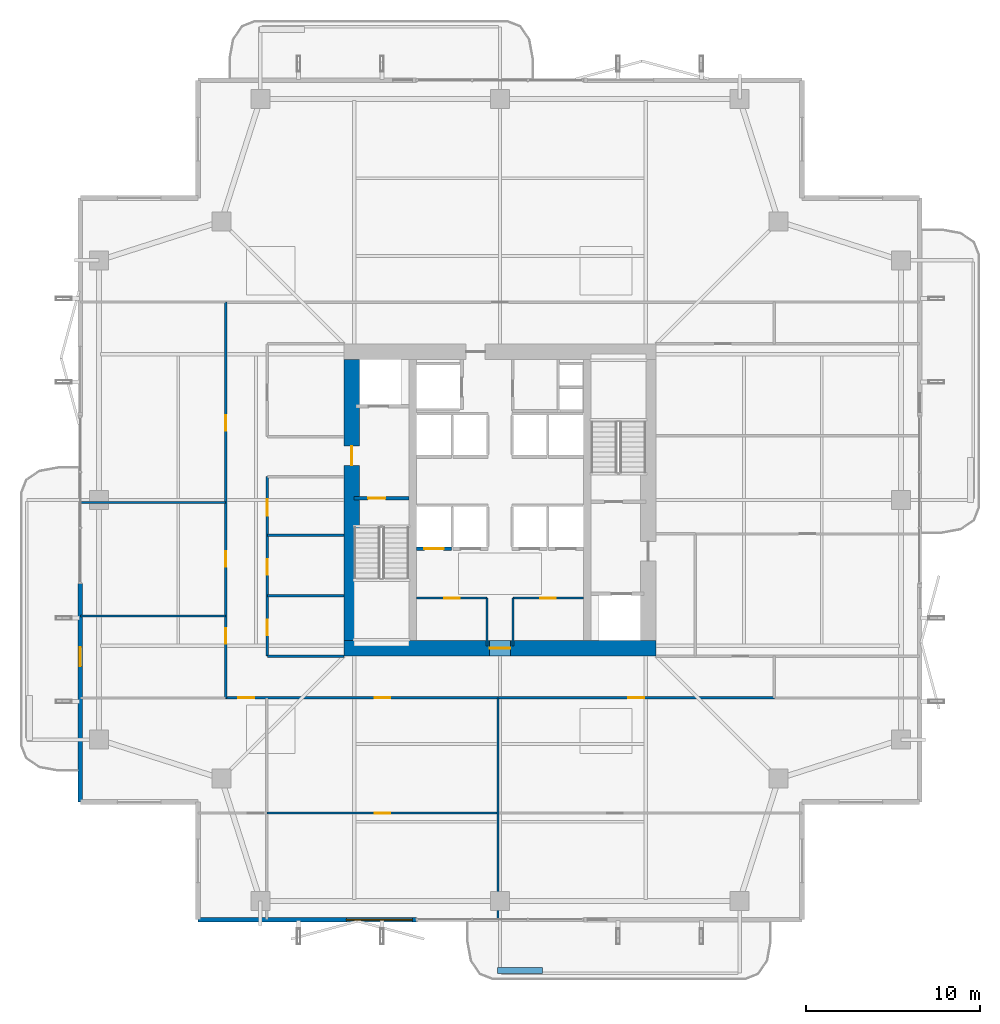
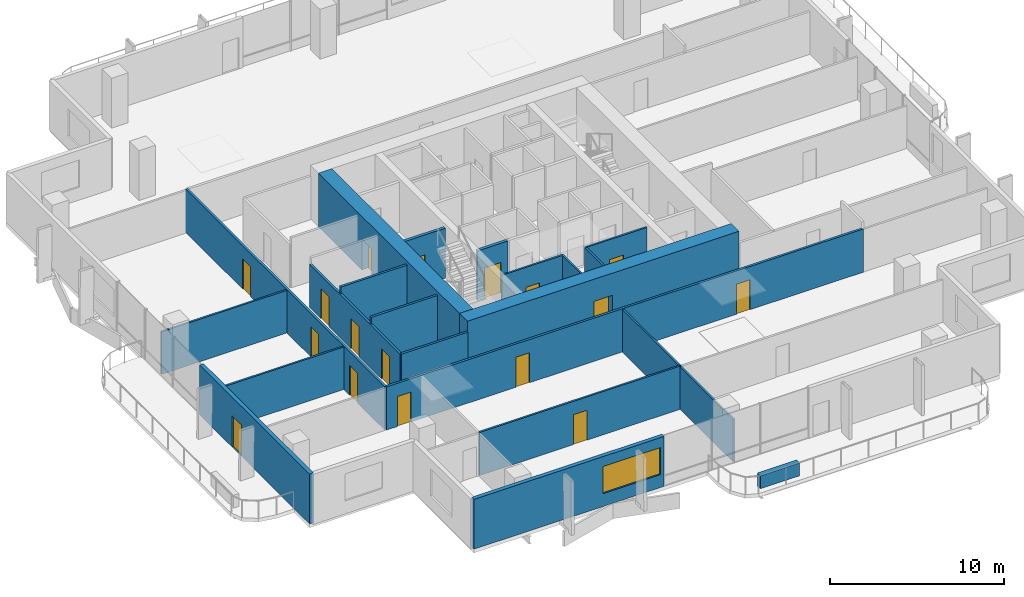
# One storey, part 18 of 24: 21 walls, 17 doors, 1 window, 18 openings.
"""IFC4 building model written with IfcOpenShell, lengths in metres."""

from ifc_helpers import new_model, si_unit, direction, frame, frame_2d, origin, place, context, subcontext, project, spatial, rectangle, extrude, material, layer, layer_set, type_object, element, fill, save


model = new_model("IFC4")

# Units and contexts
model_context = context("Model", 3, precision=1e-05, world=origin(), true_north=direction((0.0, 1.0)))
body_context = subcontext(model_context, "Body", "Model", "MODEL_VIEW")
ifc_project = project(units=[si_unit("LENGTHUNIT", "METRE"), si_unit("AREAUNIT", "SQUARE_METRE"), si_unit("VOLUMEUNIT", "CUBIC_METRE"), si_unit("PLANEANGLEUNIT", "RADIAN"), si_unit("MASSUNIT", "GRAM", prefix="KILO")], contexts=[model_context])

# Site, building, storey
site_placement = place(None, origin())
site = spatial("IfcSite", under=ifc_project, at=site_placement, CompositionType="ELEMENT")
building_placement = place(site_placement, origin())
building = spatial("IfcBuilding", under=site, at=building_placement, Name="Belovzor Exchange Tower", CompositionType="ELEMENT")
storey_placement = place(building_placement, frame((0.0, 0.0, 179.550048828125)))
storey = spatial("IfcBuildingStorey", under=building, at=storey_placement, Name="L44", CompositionType="ELEMENT", Elevation=179.550048828125)

# Wall, opening, door
ifc_material_1 = material(Name="Acoustic Plasterboard on Galvanised Studs", Category="gypsum")
ifc_layer_1 = layer(ifc_material_1, 0.1201171875)
ifc_layer_set_1 = layer_set([ifc_layer_1], Name="Acoustic Plasterboard on Galvanised Studs")
wall_type_1 = type_object("IfcWallType", Name="Acoustic Double-Stud Partition Wall 120", PredefinedType="PARTITIONING", material=ifc_layer_set_1)
wall_1_placement = place(storey_placement, frame((15.364990234375, 10.76611328125, 0.0), z_axis=(0.0, 0.0, 1.0), x_axis=(1.0, 0.0, 0.0)))
wall_1 = element("IfcWall", 1, at=wall_1_placement, inside=storey, type_object=wall_type_1, Name="W-P120 Partition Wall W-L44-SHDIV-1", PredefinedType="PARTITIONING", context=body_context, shape_type="SweptSolid", body=[
    extrude(rectangle(XDim=13.3310546875, YDim=0.1201171875, at=frame_2d((6.66552734375, 0.0))), origin(), (0.0, 0.0, 1.0), 3.030029296875),
])
opening_1_placement = place(wall_1_placement, frame((6.216064453125, 0.0, 0.0)))
opening_1 = element("IfcOpeningElement", 2, at=opening_1_placement, cuts=wall_1, Name="Opening D-INT-090", PredefinedType="OPENING", context=body_context, shape_type="SweptSolid", body=[
    extrude(rectangle(XDim=0.89990234375, YDim=2.10009765625, at=frame_2d((0.449951171875, 1.050048828125))), frame((0.0, 0.070068359375, 0.0), z_axis=(0.0, -1.0, 0.0), x_axis=(1.0, 0.0, 0.0)), (0.0, 0.0, 1.0), 0.14013671875),
])
ifc_material_2 = material(Name="Veneered Hardwood Acoustic Leaf", Category="wood")
door_type_1 = type_object("IfcDoorType", Name="Trading Suite Acoustic Single Door 900x2100", OperationType="NOTDEFINED", PredefinedType="DOOR", material=ifc_material_2)
door_1_placement = place(opening_1_placement, origin())
door_1 = element("IfcDoor", 3, at=door_1_placement, inside=storey, type_object=door_type_1, Name="D-INT-090 Trading Suite Acoustic Single Door 900x2100", OperationType="SINGLE_SWING_LEFT", OverallHeight=2.10009765625, OverallWidth=0.89990234375, PredefinedType="DOOR", context=body_context, shape_type="SweptSolid", body=[
    extrude(rectangle(XDim=0.89990234375, YDim=2.10009765625, at=frame_2d((0.449951171875, 1.050048828125))), frame((0.0, 0.02490234375, 0.0), z_axis=(0.0, -1.0, 0.0), x_axis=(1.0, 0.0, 0.0)), (0.0, 0.0, 1.0), 0.050048828125),
])
fill(opening_1, door_1)

# Walls
wall_2_placement = place(storey_placement, frame((28.696044921875, 4.6298828125, 0.0), z_axis=(0.0, 0.0, 1.0), x_axis=(0.0, 1.0, 0.0)))
element("IfcWall", 4, at=wall_2_placement, inside=storey, type_object=wall_type_1, Name="W-P120 Partition Wall W-L44-SDIV-2", PredefinedType="PARTITIONING", context=body_context, shape_type="SweptSolid", body=[
    extrude(rectangle(XDim=12.77001953125, YDim=0.1201171875, at=frame_2d((6.385009765625, 0.0))), origin(), (0.0, 0.0, 1.0), 2.97998046875),
])
for number, where, z_axis, x_axis, name in (
    (5, (4.6298828125, 22.1259765625, 0.0), (0.0, 0.0, 1.0), (1.0, 0.0, 0.0), "W-P120 Partition Wall W-L44-WDIV-1"),
    (6, (4.6298828125, 28.656982421875, 0.0), (0.0, 0.0, 1.0), (1.0, 0.0, 0.0), "W-P120 Partition Wall W-L44-WDIV-2"),
):
    element("IfcWall", number, at=place(storey_placement, frame(where, z_axis=z_axis, x_axis=x_axis)), inside=storey, type_object=wall_type_1, Name=name, PredefinedType="PARTITIONING", context=body_context, shape_type="SweptSolid", body=[
        extrude(rectangle(XDim=8.3701171875, YDim=0.1201171875, at=frame_2d((4.18505859375, 0.0))), origin(), (0.0, 0.0, 1.0), 2.97998046875),
    ])

# Wall, opening, door
ifc_material_3 = material(Name="Fire-Rated Plasterboard on Galvanised Studs", Category="gypsum")
ifc_layer_2 = layer(ifc_material_3, 0.1201171875)
ifc_layer_set_2 = layer_set([ifc_layer_2], Name="Fire-Rated Plasterboard on Galvanised Studs")
wall_type_2 = type_object("IfcWallType", Name="Fire-Rated Double-Stud Partition Wall 120", PredefinedType="PARTITIONING", material=ifc_layer_set_2)
wall_3_placement = place(storey_placement, frame((24.0, 23.14990234375, 0.0), z_axis=(0.0, 0.0, 1.0), x_axis=(1.0, 0.0, 0.0)))
wall_3 = element("IfcWall", 7, at=wall_3_placement, inside=storey, type_object=wall_type_2, Name="W-P120F Partition Wall W-CRL-L44-WN", PredefinedType="PARTITIONING", context=body_context, shape_type="SweptSolid", body=[
    extrude(rectangle(XDim=4.050048828125, YDim=0.1201171875, at=frame_2d((2.02490234375, 0.0))), origin(), (0.0, 0.0, 1.0), 3.494873046875),
])
opening_2_placement = place(wall_3_placement, frame((1.574951171875, 0.0, 0.0)))
opening_2 = element("IfcOpeningElement", 8, at=opening_2_placement, cuts=wall_3, Name="Opening D-FD60-090", PredefinedType="OPENING", context=body_context, shape_type="SweptSolid", body=[
    extrude(rectangle(XDim=0.89990234375, YDim=2.10009765625, at=frame_2d((0.449951171875, 1.050048828125))), frame((0.0, 0.070068359375, 0.0), z_axis=(0.0, -1.0, 0.0), x_axis=(1.0, 0.0, 0.0)), (0.0, 0.0, 1.0), 0.14013671875),
])
ifc_material_4 = material(Name="Acoustic Timber Fire Leaf", Category="wood")
door_type_2 = type_object("IfcDoorType", Name="Core Service & Restroom Fire Door 900x2100", OperationType="NOTDEFINED", PredefinedType="DOOR", material=ifc_material_4)
door_2_placement = place(opening_2_placement, origin())
door_2 = element("IfcDoor", 9, at=door_2_placement, inside=storey, type_object=door_type_2, Name="D-FD60-090 Core Service & Restroom Fire Door 900x2100", OperationType="SINGLE_SWING_LEFT", OverallHeight=2.10009765625, OverallWidth=0.89990234375, PredefinedType="DOOR", context=body_context, shape_type="SweptSolid", body=[
    extrude(rectangle(XDim=0.89990234375, YDim=2.10009765625, at=frame_2d((0.449951171875, 1.050048828125))), frame((0.0, 0.02490234375, 0.0), z_axis=(0.0, -1.0, 0.0), x_axis=(1.0, 0.0, 0.0)), (0.0, 0.0, 1.0), 0.050048828125),
])
fill(opening_2, door_2)

# Wall
wall_4_placement = place(storey_placement, frame((28.050048828125, 20.39990234375, 0.0), z_axis=(0.0, 0.0, 1.0), x_axis=(0.0, 1.0, 0.0)))
element("IfcWall", 10, at=wall_4_placement, inside=storey, type_object=wall_type_2, Name="W-P120F Partition Wall W-CRL-L44-WE", PredefinedType="PARTITIONING", context=body_context, shape_type="SweptSolid", body=[
    extrude(rectangle(XDim=2.75, YDim=0.1201171875, at=frame_2d((1.375, 0.0))), origin(), (0.0, 0.0, 1.0), 3.494873046875),
])

# Wall, opening, door
wall_5_placement = place(storey_placement, frame((29.550048828125, 23.14990234375, 0.0), z_axis=(0.0, 0.0, 1.0), x_axis=(1.0, 0.0, 0.0)))
wall_5 = element("IfcWall", 11, at=wall_5_placement, inside=storey, type_object=wall_type_2, Name="W-P120F Partition Wall W-CRL-L44-EN", PredefinedType="PARTITIONING", context=body_context, shape_type="SweptSolid", body=[
    extrude(rectangle(XDim=4.050048828125, YDim=0.1201171875, at=frame_2d((2.02490234375, 0.0))), origin(), (0.0, 0.0, 1.0), 3.494873046875),
])
opening_3_placement = place(wall_5_placement, frame((1.574951171875, 0.0, 0.0)))
opening_3 = element("IfcOpeningElement", 12, at=opening_3_placement, cuts=wall_5, Name="Opening D-FD60-090", PredefinedType="OPENING", context=body_context, shape_type="SweptSolid", body=[
    extrude(rectangle(XDim=0.89990234375, YDim=2.10009765625, at=frame_2d((0.449951171875, 1.050048828125))), frame((0.0, 0.070068359375, 0.0), z_axis=(0.0, -1.0, 0.0), x_axis=(1.0, 0.0, 0.0)), (0.0, 0.0, 1.0), 0.14013671875),
])
door_3_placement = place(opening_3_placement, origin())
door_3 = element("IfcDoor", 13, at=door_3_placement, inside=storey, type_object=door_type_2, Name="D-FD60-090 Core Service & Restroom Fire Door 900x2100", OperationType="SINGLE_SWING_RIGHT", OverallHeight=2.10009765625, OverallWidth=0.89990234375, PredefinedType="DOOR", context=body_context, shape_type="SweptSolid", body=[
    extrude(rectangle(XDim=0.89990234375, YDim=2.10009765625, at=frame_2d((0.449951171875, 1.050048828125))), frame((0.0, 0.02490234375, 0.0), z_axis=(0.0, -1.0, 0.0), x_axis=(1.0, 0.0, 0.0)), (0.0, 0.0, 1.0), 0.050048828125),
])
fill(opening_3, door_3)

# Walls
wall_6_placement = place(storey_placement, frame((29.550048828125, 20.39990234375, 0.0), z_axis=(0.0, 0.0, 1.0), x_axis=(0.0, 1.0, 0.0)))
element("IfcWall", 14, at=wall_6_placement, inside=storey, type_object=wall_type_2, Name="W-P120F Partition Wall W-CRL-L44-EW", PredefinedType="PARTITIONING", context=body_context, shape_type="SweptSolid", body=[
    extrude(rectangle(XDim=2.75, YDim=0.1201171875, at=frame_2d((1.375, 0.0))), origin(), (0.0, 0.0, 1.0), 3.494873046875),
])
ifc_material_5 = material(Name="Fire-Rated Gypsum Block and Mineral Wool", Category="gypsum")
ifc_layer_3 = layer(ifc_material_5, 0.14990234375)
ifc_layer_set_3 = layer_set([ifc_layer_3], Name="Fire-Rated Gypsum Block and Mineral Wool")
wall_type_3 = type_object("IfcWallType", Name="Fire-Rated Gypsum Block Corridor Wall 150", PredefinedType="PARTITIONING", material=ifc_layer_set_3)
wall_7_placement = place(storey_placement, frame((15.39990234375, 19.800048828125, 0.0), z_axis=(0.0, 0.0, 1.0), x_axis=(1.0, 0.0, 0.0)))
element("IfcWall", 15, at=wall_7_placement, inside=storey, type_object=wall_type_3, Name="W-P150 Partition Wall W-L44-WIC-S", PredefinedType="PARTITIONING", context=body_context, shape_type="SweptSolid", body=[
    extrude(rectangle(XDim=4.400146484375, YDim=0.14990234375, at=frame_2d((2.2001953125, 0.0))), origin(), (0.0, 0.0, 1.0), 3.030029296875),
])
for number, where, z_axis, x_axis, name in (
    (16, (15.39990234375, 23.27490234375, 0.0), (0.0, 0.0, 1.0), (1.0, 0.0, 0.0), "W-P150 Partition Wall W-L44-WIC-D1"),
    (17, (15.39990234375, 26.77490234375, 0.0), (0.0, 0.0, 1.0), (1.0, 0.0, 0.0), "W-P150 Partition Wall W-L44-WIC-D2"),
):
    element("IfcWall", number, at=place(storey_placement, frame(where, z_axis=z_axis, x_axis=x_axis)), inside=storey, type_object=wall_type_3, Name=name, PredefinedType="PARTITIONING", context=body_context, shape_type="SweptSolid", body=[
        extrude(rectangle(XDim=4.400146484375, YDim=0.14990234375, at=frame_2d((2.2001953125, 0.0))), origin(), (0.0, 0.0, 1.0), 3.494873046875),
    ])

# Wall, openings, doors
wall_8_placement = place(storey_placement, frame((15.39990234375, 19.800048828125, 0.0), z_axis=(0.0, 0.0, 1.0), x_axis=(0.0, 1.0, 0.0)))
wall_8 = element("IfcWall", 18, at=wall_8_placement, inside=storey, type_object=wall_type_3, Name="W-P150 Partition Wall W-L44-WIE-S", PredefinedType="PARTITIONING", context=body_context, shape_type="SweptSolid", body=[
    extrude(rectangle(XDim=10.349853515625, YDim=0.14990234375, at=frame_2d((5.1748046875, 0.0))), origin(), (0.0, 0.0, 1.0), 3.030029296875),
])
opening_4_placement = place(wall_8_placement, frame((1.199951171875, 0.0, 0.0)))
opening_4 = element("IfcOpeningElement", 19, at=opening_4_placement, cuts=wall_8, Name="Opening D-FD60-090", PredefinedType="OPENING", context=body_context, shape_type="SweptSolid", body=[
    extrude(rectangle(XDim=0.89990234375, YDim=2.10009765625, at=frame_2d((0.449951171875, 1.050048828125))), frame((0.0, 0.0849609375, 0.0), z_axis=(0.0, -1.0, 0.0), x_axis=(1.0, 0.0, 0.0)), (0.0, 0.0, 1.0), 0.169921875),
])
opening_5_placement = place(wall_8_placement, frame((4.699951171875, 0.0, 0.0)))
opening_5 = element("IfcOpeningElement", 20, at=opening_5_placement, cuts=wall_8, Name="Opening D-FD60-090", PredefinedType="OPENING", context=body_context, shape_type="SweptSolid", body=[
    extrude(rectangle(XDim=0.89990234375, YDim=2.10009765625, at=frame_2d((0.449951171875, 1.050048828125))), frame((0.0, 0.0849609375, 0.0), z_axis=(0.0, -1.0, 0.0), x_axis=(1.0, 0.0, 0.0)), (0.0, 0.0, 1.0), 0.169921875),
])
opening_6_placement = place(wall_8_placement, frame((8.10009765625, 0.0, 0.0)))
opening_6 = element("IfcOpeningElement", 21, at=opening_6_placement, cuts=wall_8, Name="Opening D-FD60-095", PredefinedType="OPENING", context=body_context, shape_type="SweptSolid", body=[
    extrude(rectangle(XDim=0.949951171875, YDim=2.10009765625, at=frame_2d((0.47509765625, 1.050048828125))), frame((0.0, 0.0849609375, 0.0), z_axis=(0.0, -1.0, 0.0), x_axis=(1.0, 0.0, 0.0)), (0.0, 0.0, 1.0), 0.169921875),
])
ifc_material_6 = material(Name="Moisture-Resistant Timber Fire Leaf", Category="wood")
door_type_3 = type_object("IfcDoorType", Name="Accessible Restroom Wide Fire Door 950x2100", OperationType="NOTDEFINED", PredefinedType="DOOR", material=ifc_material_6)
door_4_placement = place(opening_6_placement, origin())
door_4 = element("IfcDoor", 22, at=door_4_placement, inside=storey, type_object=door_type_3, Name="D-FD60-095 Accessible Restroom Wide Fire Door 950x2100", OperationType="SINGLE_SWING_LEFT", OverallHeight=2.10009765625, OverallWidth=0.949951171875, PredefinedType="DOOR", context=body_context, shape_type="SweptSolid", body=[
    extrude(rectangle(XDim=0.949951171875, YDim=2.10009765625, at=frame_2d((0.47509765625, 1.050048828125))), frame((0.0, 0.02490234375, 0.0), z_axis=(0.0, -1.0, 0.0), x_axis=(1.0, 0.0, 0.0)), (0.0, 0.0, 1.0), 0.050048828125),
])
fill(opening_6, door_4)
door_5_placement = place(opening_4_placement, origin())
door_5 = element("IfcDoor", 23, at=door_5_placement, inside=storey, type_object=door_type_2, Name="D-FD60-090 Core Service & Restroom Fire Door 900x2100", OperationType="SINGLE_SWING_LEFT", OverallHeight=2.10009765625, OverallWidth=0.89990234375, PredefinedType="DOOR", context=body_context, shape_type="SweptSolid", body=[
    extrude(rectangle(XDim=0.89990234375, YDim=2.10009765625, at=frame_2d((0.449951171875, 1.050048828125))), frame((0.0, 0.02490234375, 0.0), z_axis=(0.0, -1.0, 0.0), x_axis=(1.0, 0.0, 0.0)), (0.0, 0.0, 1.0), 0.050048828125),
])
fill(opening_4, door_5)
door_6_placement = place(opening_5_placement, origin())
door_6 = element("IfcDoor", 24, at=door_6_placement, inside=storey, type_object=door_type_2, Name="D-FD60-090 Core Service & Restroom Fire Door 900x2100", OperationType="SINGLE_SWING_RIGHT", OverallHeight=2.10009765625, OverallWidth=0.89990234375, PredefinedType="DOOR", context=body_context, shape_type="SweptSolid", body=[
    extrude(rectangle(XDim=0.89990234375, YDim=2.10009765625, at=frame_2d((0.449951171875, 1.050048828125))), frame((0.0, 0.02490234375, 0.0), z_axis=(0.0, -1.0, 0.0), x_axis=(1.0, 0.0, 0.0)), (0.0, 0.0, 1.0), 0.050048828125),
])
fill(opening_5, door_6)

wall_9_placement = place(storey_placement, frame((13.0, 17.39990234375, 0.0), z_axis=(0.0, 0.0, 1.0), x_axis=(1.0, 0.0, 0.0)))
wall_9 = element("IfcWall", 25, at=wall_9_placement, inside=storey, type_object=wall_type_3, Name="W-P150 Partition Wall W-L44-CS", PredefinedType="PARTITIONING", context=body_context, shape_type="SweptSolid", body=[
    extrude(rectangle(XDim=31.60009765625, YDim=0.14990234375, at=frame_2d((15.800048828125, 0.0))), origin(), (0.0, 0.0, 1.0), 3.030029296875),
])
opening_7_placement = place(wall_9_placement, frame((0.73291015625, 0.0, 0.0)))
opening_7 = element("IfcOpeningElement", 26, at=opening_7_placement, cuts=wall_9, Name="Opening D-INT-090", PredefinedType="OPENING", context=body_context, shape_type="SweptSolid", body=[
    extrude(rectangle(XDim=0.89990234375, YDim=2.10009765625, at=frame_2d((0.449951171875, 1.050048828125))), frame((0.0, 0.0849609375, 0.0), z_axis=(0.0, -1.0, 0.0), x_axis=(1.0, 0.0, 0.0)), (0.0, 0.0, 1.0), 0.169921875),
])
opening_8_placement = place(wall_9_placement, frame((8.5810546875, 0.0, 0.0)))
opening_8 = element("IfcOpeningElement", 27, at=opening_8_placement, cuts=wall_9, Name="Opening D-INT-090", PredefinedType="OPENING", context=body_context, shape_type="SweptSolid", body=[
    extrude(rectangle(XDim=0.89990234375, YDim=2.10009765625, at=frame_2d((0.449951171875, 1.050048828125))), frame((0.0, 0.0849609375, 0.0), z_axis=(0.0, -1.0, 0.0), x_axis=(1.0, 0.0, 0.0)), (0.0, 0.0, 1.0), 0.169921875),
])
opening_9_placement = place(wall_9_placement, frame((23.197998046875, 0.0, 0.0)))
opening_9 = element("IfcOpeningElement", 28, at=opening_9_placement, cuts=wall_9, Name="Opening D-INT-090", PredefinedType="OPENING", context=body_context, shape_type="SweptSolid", body=[
    extrude(rectangle(XDim=0.89990234375, YDim=2.10009765625, at=frame_2d((0.449951171875, 1.050048828125))), frame((0.0, 0.0849609375, 0.0), z_axis=(0.0, -1.0, 0.0), x_axis=(1.0, 0.0, 0.0)), (0.0, 0.0, 1.0), 0.169921875),
])
door_7_placement = place(opening_7_placement, origin())
door_7 = element("IfcDoor", 29, at=door_7_placement, inside=storey, type_object=door_type_1, Name="D-INT-090 Trading Suite Acoustic Single Door 900x2100", OperationType="SINGLE_SWING_RIGHT", OverallHeight=2.10009765625, OverallWidth=0.89990234375, PredefinedType="DOOR", context=body_context, shape_type="SweptSolid", body=[
    extrude(rectangle(XDim=0.89990234375, YDim=2.10009765625, at=frame_2d((0.449951171875, 1.050048828125))), frame((0.0, 0.02490234375, 0.0), z_axis=(0.0, -1.0, 0.0), x_axis=(1.0, 0.0, 0.0)), (0.0, 0.0, 1.0), 0.050048828125),
])
fill(opening_7, door_7)
door_8_placement = place(opening_8_placement, origin())
door_8 = element("IfcDoor", 30, at=door_8_placement, inside=storey, type_object=door_type_1, Name="D-INT-090 Trading Suite Acoustic Single Door 900x2100", OperationType="SINGLE_SWING_LEFT", OverallHeight=2.10009765625, OverallWidth=0.89990234375, PredefinedType="DOOR", context=body_context, shape_type="SweptSolid", body=[
    extrude(rectangle(XDim=0.89990234375, YDim=2.10009765625, at=frame_2d((0.449951171875, 1.050048828125))), frame((0.0, 0.02490234375, 0.0), z_axis=(0.0, -1.0, 0.0), x_axis=(1.0, 0.0, 0.0)), (0.0, 0.0, 1.0), 0.050048828125),
])
fill(opening_8, door_8)
door_9_placement = place(opening_9_placement, origin())
door_9 = element("IfcDoor", 31, at=door_9_placement, inside=storey, type_object=door_type_1, Name="D-INT-090 Trading Suite Acoustic Single Door 900x2100", OperationType="SINGLE_SWING_RIGHT", OverallHeight=2.10009765625, OverallWidth=0.89990234375, PredefinedType="DOOR", context=body_context, shape_type="SweptSolid", body=[
    extrude(rectangle(XDim=0.89990234375, YDim=2.10009765625, at=frame_2d((0.449951171875, 1.050048828125))), frame((0.0, 0.02490234375, 0.0), z_axis=(0.0, -1.0, 0.0), x_axis=(1.0, 0.0, 0.0)), (0.0, 0.0, 1.0), 0.050048828125),
])
fill(opening_9, door_9)

wall_10_placement = place(storey_placement, frame((13.0, 17.39990234375, 0.0), z_axis=(0.0, 0.0, 1.0), x_axis=(0.0, 1.0, 0.0)))
wall_10 = element("IfcWall", 32, at=wall_10_placement, inside=storey, type_object=wall_type_3, Name="W-P150 Partition Wall W-L44-CWO", PredefinedType="PARTITIONING", context=body_context, shape_type="SweptSolid", body=[
    extrude(rectangle(XDim=22.800048828125, YDim=0.14990234375, at=frame_2d((11.39990234375, 0.0))), origin(), (0.0, 0.0, 1.0), 3.030029296875),
])
opening_10_placement = place(wall_10_placement, frame((3.113037109375, 0.0, 0.0)))
opening_10 = element("IfcOpeningElement", 33, at=opening_10_placement, cuts=wall_10, Name="Opening D-INT-090", PredefinedType="OPENING", context=body_context, shape_type="SweptSolid", body=[
    extrude(rectangle(XDim=0.89990234375, YDim=2.10009765625, at=frame_2d((0.449951171875, 1.050048828125))), frame((0.0, 0.0849609375, 0.0), z_axis=(0.0, -1.0, 0.0), x_axis=(1.0, 0.0, 0.0)), (0.0, 0.0, 1.0), 0.169921875),
])
opening_11_placement = place(wall_10_placement, frame((7.5419921875, 0.0, 0.0)))
opening_11 = element("IfcOpeningElement", 34, at=opening_11_placement, cuts=wall_10, Name="Opening D-INT-090", PredefinedType="OPENING", context=body_context, shape_type="SweptSolid", body=[
    extrude(rectangle(XDim=0.89990234375, YDim=2.10009765625, at=frame_2d((0.449951171875, 1.050048828125))), frame((0.0, 0.0849609375, 0.0), z_axis=(0.0, -1.0, 0.0), x_axis=(1.0, 0.0, 0.0)), (0.0, 0.0, 1.0), 0.169921875),
])
opening_12_placement = place(wall_10_placement, frame((15.3779296875, 0.0, 0.0)))
opening_12 = element("IfcOpeningElement", 35, at=opening_12_placement, cuts=wall_10, Name="Opening D-INT-090", PredefinedType="OPENING", context=body_context, shape_type="SweptSolid", body=[
    extrude(rectangle(XDim=0.89990234375, YDim=2.10009765625, at=frame_2d((0.449951171875, 1.050048828125))), frame((0.0, 0.0849609375, 0.0), z_axis=(0.0, -1.0, 0.0), x_axis=(1.0, 0.0, 0.0)), (0.0, 0.0, 1.0), 0.169921875),
])
door_10_placement = place(opening_10_placement, origin())
door_10 = element("IfcDoor", 36, at=door_10_placement, inside=storey, type_object=door_type_1, Name="D-INT-090 Trading Suite Acoustic Single Door 900x2100", OperationType="SINGLE_SWING_LEFT", OverallHeight=2.10009765625, OverallWidth=0.89990234375, PredefinedType="DOOR", context=body_context, shape_type="SweptSolid", body=[
    extrude(rectangle(XDim=0.89990234375, YDim=2.10009765625, at=frame_2d((0.449951171875, 1.050048828125))), frame((0.0, 0.02490234375, 0.0), z_axis=(0.0, -1.0, 0.0), x_axis=(1.0, 0.0, 0.0)), (0.0, 0.0, 1.0), 0.050048828125),
])
fill(opening_10, door_10)
door_11_placement = place(opening_11_placement, origin())
door_11 = element("IfcDoor", 37, at=door_11_placement, inside=storey, type_object=door_type_1, Name="D-INT-090 Trading Suite Acoustic Single Door 900x2100", OperationType="SINGLE_SWING_LEFT", OverallHeight=2.10009765625, OverallWidth=0.89990234375, PredefinedType="DOOR", context=body_context, shape_type="SweptSolid", body=[
    extrude(rectangle(XDim=0.89990234375, YDim=2.10009765625, at=frame_2d((0.449951171875, 1.050048828125))), frame((0.0, 0.02490234375, 0.0), z_axis=(0.0, -1.0, 0.0), x_axis=(1.0, 0.0, 0.0)), (0.0, 0.0, 1.0), 0.050048828125),
])
fill(opening_11, door_11)
door_12_placement = place(opening_12_placement, origin())
door_12 = element("IfcDoor", 38, at=door_12_placement, inside=storey, type_object=door_type_1, Name="D-INT-090 Trading Suite Acoustic Single Door 900x2100", OperationType="SINGLE_SWING_LEFT", OverallHeight=2.10009765625, OverallWidth=0.89990234375, PredefinedType="DOOR", context=body_context, shape_type="SweptSolid", body=[
    extrude(rectangle(XDim=0.89990234375, YDim=2.10009765625, at=frame_2d((0.449951171875, 1.050048828125))), frame((0.0, 0.02490234375, 0.0), z_axis=(0.0, -1.0, 0.0), x_axis=(1.0, 0.0, 0.0)), (0.0, 0.0, 1.0), 0.050048828125),
])
fill(opening_12, door_12)

# Wall, opening, window
ifc_material_7 = material(Name="Precast concrete C40/50", Category="concrete")
ifc_layer_4 = layer(ifc_material_7, 0.260009765625)
ifc_layer_set_4 = layer_set([ifc_layer_4], Name="Precast concrete C40/50")
wall_type_4 = type_object("IfcWallType", Name="Precast Concrete Perimeter Loggia Frame Wall 260", PredefinedType="SOLIDWALL", material=ifc_layer_set_4)
wall_11_placement = place(storey_placement, frame((24.0, 4.6298828125, 0.0), z_axis=(0.0, 0.0, 1.0), x_axis=(-1.0, 0.0, 0.0)))
wall_11 = element("IfcWall", 39, at=wall_11_placement, inside=storey, type_object=wall_type_4, Name="W-EXT260 Precast Concrete Perimeter Loggia Frame Wall 260 L44", PredefinedType="SOLIDWALL", context=body_context, shape_type="SweptSolid", body=[
    extrude(rectangle(XDim=12.60009765625, YDim=0.260009765625, at=frame_2d((6.300048828125, 0.0))), origin(), (0.0, 0.0, 1.0), 3.494873046875),
])
opening_13_placement = place(wall_11_placement, frame((0.25, 0.0, 0.89990234375)))
opening_13 = element("IfcOpeningElement", 40, at=opening_13_placement, cuts=wall_11, Name="Opening WN-RIB380", PredefinedType="OPENING", context=body_context, shape_type="SweptSolid", body=[
    extrude(rectangle(XDim=3.800048828125, YDim=1.89990234375, at=frame_2d((1.89990234375, 0.949951171875))), frame((0.0, 0.139892578125, 0.0), z_axis=(0.0, -1.0, 0.0), x_axis=(1.0, 0.0, 0.0)), (0.0, 0.0, 1.0), 0.280029296875),
])
ifc_material_8 = material(Name="Thermally Broken Aluminium and Triple Glazing", Category="aluminium")
window_type = type_object("IfcWindowType", Name="Streamline Moderne Horizontal Ribbon Window 3800x1900", PartitioningType="SINGLE_PANEL", PredefinedType="WINDOW", material=ifc_material_8)
window_placement = place(opening_13_placement, origin())
window = element("IfcWindow", 41, at=window_placement, inside=storey, type_object=window_type, Name="WN-RIB380 Streamline Moderne Horizontal Ribbon Window 3800x1900", OverallHeight=1.89990234375, OverallWidth=3.800048828125, PartitioningType="SINGLE_PANEL", PredefinedType="WINDOW", context=body_context, shape_type="SweptSolid", body=[
    extrude(rectangle(XDim=3.800048828125, YDim=1.89990234375, at=frame_2d((1.89990234375, 0.949951171875))), frame((0.0, 0.030029296875, 0.0), z_axis=(0.0, -1.0, 0.0), x_axis=(1.0, 0.0, 0.0)), (0.0, 0.0, 1.0), 0.06005859375),
])
fill(opening_13, window)

# Wall, opening, door
wall_12_placement = place(storey_placement, frame((4.6298828125, 11.39990234375, 0.0), z_axis=(0.0, 0.0, 1.0), x_axis=(0.0, 1.0, 0.0)))
wall_12 = element("IfcWall", 42, at=wall_12_placement, inside=storey, type_object=wall_type_4, Name="W-EXT260 Precast Concrete Perimeter Loggia Frame Wall 260 L44", PredefinedType="SOLIDWALL", context=body_context, shape_type="SweptSolid", body=[
    extrude(rectangle(XDim=12.60009765625, YDim=0.260009765625, at=frame_2d((6.300048828125, 0.0))), origin(), (0.0, 0.0, 1.0), 3.494873046875),
])
opening_14_placement = place(wall_12_placement, frame((7.822021484375, 0.0, 0.0)))
opening_14 = element("IfcOpeningElement", 43, at=opening_14_placement, cuts=wall_12, Name="Opening D-BAL110", PredefinedType="OPENING", context=body_context, shape_type="SweptSolid", body=[
    extrude(rectangle(XDim=1.10009765625, YDim=2.199951171875, at=frame_2d((0.550048828125, 1.10009765625))), frame((0.0, 0.139892578125, 0.0), z_axis=(0.0, -1.0, 0.0), x_axis=(1.0, 0.0, 0.0)), (0.0, 0.0, 1.0), 0.280029296875),
])
ifc_material_9 = material(Name="Thermally Broken Anodised Aluminium and Laminated Glass", Category="aluminium")
door_type_4 = type_object("IfcDoorType", Name="Planted Loggia Terrace Glazed Door 1100x2200", OperationType="SINGLE_SWING_LEFT", PredefinedType="DOOR", material=ifc_material_9)
door_13_placement = place(opening_14_placement, origin())
door_13 = element("IfcDoor", 44, at=door_13_placement, inside=storey, type_object=door_type_4, Name="D-BAL110 Balcony Terrace Door L44 W", OperationType="SINGLE_SWING_RIGHT", OverallHeight=2.199951171875, OverallWidth=1.10009765625, PredefinedType="DOOR", context=body_context, shape_type="SweptSolid", body=[
    extrude(rectangle(XDim=1.10009765625, YDim=2.199951171875, at=frame_2d((0.550048828125, 1.10009765625))), frame((0.0, 0.02490234375, 0.0), z_axis=(0.0, -1.0, 0.0), x_axis=(1.0, 0.0, 0.0)), (0.0, 0.0, 1.0), 0.050048828125),
])
fill(opening_14, door_13)

# Wall
ifc_material_10 = material(Name="Precast concrete C40/50", Category="concrete")
ifc_layer_5 = layer(ifc_material_10, 0.35009765625)
ifc_layer_set_5 = layer_set([ifc_layer_5], Name="Precast concrete C40/50")
wall_type_5 = type_object("IfcWallType", Name="Precast Concrete Structural Tree Planter Trough 350", PredefinedType="PARAPET", material=ifc_layer_set_5)
wall_13_placement = place(storey_placement, frame((28.64990234375, 1.699951171875, 0.0), z_axis=(0.0, 0.0, 1.0), x_axis=(1.0, 0.0, 0.0)))
element("IfcWall", 45, at=wall_13_placement, inside=storey, type_object=wall_type_5, Name="PT-350 Precast Concrete Structural Tree Planter Trough 350 L44", PredefinedType="PARAPET", context=body_context, shape_type="SweptSolid", body=[
    extrude(rectangle(XDim=2.60009765625, YDim=0.35009765625, at=frame_2d((1.300048828125, 0.0))), origin(), (0.0, 0.0, 1.0), 0.89990234375),
])

# Wall, opening, door
ifc_material_11 = material(Name="Concrete C50/60", Category="concrete")
ifc_layer_6 = layer(ifc_material_11, 0.199951171875)
ifc_layer_set_6 = layer_set([ifc_layer_6], Name="Concrete C50/60")
wall_type_6 = type_object("IfcWallType", Name="Reinforced Concrete Core Shaft Shear Wall 200", PredefinedType="SHEAR", material=ifc_layer_set_6)
wall_14_placement = place(storey_placement, frame((20.39990234375, 28.89990234375, 0.0), z_axis=(0.0, 0.0, 1.0), x_axis=(1.0, 0.0, 0.0)))
wall_14 = element("IfcWall", 46, at=wall_14_placement, inside=storey, type_object=wall_type_6, Name="W-C200S Core Shaft Wall W-CORE-L44-FFLW1", PredefinedType="SHEAR", context=body_context, shape_type="SweptSolid", body=[
    extrude(rectangle(XDim=3.150146484375, YDim=0.199951171875, at=frame_2d((1.5751953125, 0.0))), origin(), (0.0, 0.0, 1.0), 3.494873046875),
])
opening_15_placement = place(wall_14_placement, frame((0.800048828125, 0.0, 0.0)))
opening_15 = element("IfcOpeningElement", 47, at=opening_15_placement, cuts=wall_14, Name="Opening D-FD90-100", PredefinedType="OPENING", context=body_context, shape_type="SweptSolid", body=[
    extrude(rectangle(XDim=1.0, YDim=2.10009765625, at=frame_2d((0.5, 1.050048828125))), frame((0.0, 0.10986328125, 0.0), z_axis=(0.0, -1.0, 0.0), x_axis=(1.0, 0.0, 0.0)), (0.0, 0.0, 1.0), 0.219970703125),
])
ifc_material_12 = material(Name="Fire-Rated Galvanised Steel Leaf", Category="steel")
door_type_5 = type_object("IfcDoorType", Name="Protected Stairwell Single Fire Door 1000x2100", OperationType="NOTDEFINED", PredefinedType="DOOR", material=ifc_material_12)
door_14_placement = place(opening_15_placement, origin())
door_14 = element("IfcDoor", 48, at=door_14_placement, inside=storey, type_object=door_type_5, Name="D-FD90-100 Protected Stairwell Single Fire Door 1000x2100", OperationType="SINGLE_SWING_RIGHT", OverallHeight=2.10009765625, OverallWidth=1.0, PredefinedType="DOOR", context=body_context, shape_type="SweptSolid", body=[
    extrude(rectangle(XDim=1.0, YDim=2.10009765625, at=frame_2d((0.5, 1.050048828125))), frame((0.0, 0.02490234375, 0.0), z_axis=(0.0, -1.0, 0.0), x_axis=(1.0, 0.0, 0.0)), (0.0, 0.0, 1.0), 0.050048828125),
])
fill(opening_15, door_14)

wall_15_placement = place(storey_placement, frame((24.0, 26.0, 0.0), z_axis=(0.0, 0.0, 1.0), x_axis=(1.0, 0.0, 0.0)))
wall_15 = element("IfcWall", 49, at=wall_15_placement, inside=storey, type_object=wall_type_6, Name="W-C200S Core Shaft Wall W-SH-L44-PL-M1", PredefinedType="SHEAR", context=body_context, shape_type="SweptSolid", body=[
    extrude(rectangle(XDim=2.0, YDim=0.199951171875, at=frame_2d((1.0, 0.0))), origin(), (0.0, 0.0, 1.0), 3.494873046875),
])
opening_16_placement = place(wall_15_placement, frame((0.449951171875, 0.0, 0.0)))
opening_16 = element("IfcOpeningElement", 50, at=opening_16_placement, cuts=wall_15, Name="Opening LD-110", PredefinedType="OPENING", context=body_context, shape_type="SweptSolid", body=[
    extrude(rectangle(XDim=1.10009765625, YDim=2.14990234375, at=frame_2d((0.550048828125, 1.074951171875))), frame((0.0, 0.10986328125, 0.0), z_axis=(0.0, -1.0, 0.0), x_axis=(1.0, 0.0, 0.0)), (0.0, 0.0, 1.0), 0.219970703125),
])
ifc_material_13 = material(Name="Stainless Steel Grade 304", Category="steel")
door_type_6 = type_object("IfcDoorType", Name="Automated Stainless Steel Lift Landing Door 1100x2150", OperationType="SLIDING_TO_RIGHT", PredefinedType="DOOR", material=ifc_material_13)
door_15_placement = place(opening_16_placement, origin())
door_15 = element("IfcDoor", 51, at=door_15_placement, inside=storey, type_object=door_type_6, Name="LD-110 Automated Stainless Steel Lift Landing Door 1100x2150", OperationType="SLIDING_TO_RIGHT", OverallHeight=2.14990234375, OverallWidth=1.10009765625, PredefinedType="DOOR", context=body_context, shape_type="SweptSolid", body=[
    extrude(rectangle(XDim=1.10009765625, YDim=2.14990234375, at=frame_2d((0.550048828125, 1.074951171875))), frame((0.0, 0.02490234375, 0.0), z_axis=(0.0, -1.0, 0.0), x_axis=(1.0, 0.0, 0.0)), (0.0, 0.0, 1.0), 0.050048828125),
])
fill(opening_16, door_15)

ifc_material_14 = material(Name="Concrete C60/75", Category="concrete")
ifc_layer_7 = layer(ifc_material_14, 0.89990234375)
ifc_layer_set_7 = layer_set([ifc_layer_7], Name="Concrete C60/75")
wall_type_7 = type_object("IfcWallType", Name="Reinforced Concrete Core Shear Wall 900", PredefinedType="SHEAR", material=ifc_layer_set_7)
wall_16_placement = place(storey_placement, frame((19.800048828125, 20.25, 0.0), z_axis=(0.0, 0.0, 1.0), x_axis=(1.0, 0.0, 0.0)))
wall_16 = element("IfcWall", 52, at=wall_16_placement, inside=storey, type_object=wall_type_7, Name="CW-S090 Core Shear Wall L44 S", PredefinedType="SHEAR", context=body_context, shape_type="SweptSolid", body=[
    extrude(rectangle(XDim=18.0, YDim=0.89990234375, at=frame_2d((9.0, 0.0))), origin(), (0.0, 0.0, 1.0), 3.75),
])
opening_17_placement = place(wall_16_placement, frame((8.39990234375, 0.0, 0.0)))
opening_17 = element("IfcOpeningElement", 53, at=opening_17_placement, cuts=wall_16, Name="Opening D-FD90-120", PredefinedType="OPENING", context=body_context, shape_type="SweptSolid", body=[
    extrude(rectangle(XDim=1.199951171875, YDim=2.199951171875, at=frame_2d((0.60009765625, 1.10009765625))), frame((0.0, 0.4599609375, 0.0), z_axis=(0.0, -1.0, 0.0), x_axis=(1.0, 0.0, 0.0)), (0.0, 0.0, 1.0), 0.919921875),
])
ifc_material_15 = material(Name="Fire-Rated Galvanised Steel Leaf", Category="steel")
door_type_7 = type_object("IfcDoorType", Name="Heavy Plant & Foyer Fire Door 1200x2200", OperationType="NOTDEFINED", PredefinedType="DOOR", material=ifc_material_15)
door_16_placement = place(opening_17_placement, origin())
door_16 = element("IfcDoor", 54, at=door_16_placement, inside=storey, type_object=door_type_7, Name="D-FD90-120 Heavy Plant & Foyer Fire Door 1200x2200", OperationType="SINGLE_SWING_LEFT", OverallHeight=2.199951171875, OverallWidth=1.199951171875, PredefinedType="DOOR", context=body_context, shape_type="SweptSolid", body=[
    extrude(rectangle(XDim=1.199951171875, YDim=2.199951171875, at=frame_2d((0.60009765625, 1.10009765625))), frame((0.0, 0.02490234375, 0.0), z_axis=(0.0, -1.0, 0.0), x_axis=(1.0, 0.0, 0.0)), (0.0, 0.0, 1.0), 0.050048828125),
])
fill(opening_17, door_16)

wall_17_placement = place(storey_placement, frame((20.25, 20.699951171875, 0.0), z_axis=(0.0, 0.0, 1.0), x_axis=(0.0, 1.0, 0.0)))
wall_17 = element("IfcWall", 55, at=wall_17_placement, inside=storey, type_object=wall_type_7, Name="CW-S090 Core Shear Wall L44 W", PredefinedType="SHEAR", context=body_context, shape_type="SweptSolid", body=[
    extrude(rectangle(XDim=16.199951171875, YDim=0.89990234375, at=frame_2d((8.10009765625, 0.0))), origin(), (0.0, 0.0, 1.0), 3.75),
])
opening_18_placement = place(wall_17_placement, frame((10.10009765625, 0.0, 0.0)))
opening_18 = element("IfcOpeningElement", 56, at=opening_18_placement, cuts=wall_17, Name="Opening D-FD90-110", PredefinedType="OPENING", context=body_context, shape_type="SweptSolid", body=[
    extrude(rectangle(XDim=1.10009765625, YDim=2.14990234375, at=frame_2d((0.550048828125, 1.074951171875))), frame((0.0, 0.4599609375, 0.0), z_axis=(0.0, -1.0, 0.0), x_axis=(1.0, 0.0, 0.0)), (0.0, 0.0, 1.0), 0.919921875),
])
ifc_material_16 = material(Name="Fire-Rated Galvanised Steel Leaf", Category="steel")
door_type_8 = type_object("IfcDoorType", Name="Protected Escape Vestibule Fire Door 1100x2150", OperationType="NOTDEFINED", PredefinedType="DOOR", material=ifc_material_16)
door_17_placement = place(opening_18_placement, origin())
door_17 = element("IfcDoor", 57, at=door_17_placement, inside=storey, type_object=door_type_8, Name="D-FD90-110 Protected Escape Vestibule Fire Door 1100x2150", OperationType="SINGLE_SWING_LEFT", OverallHeight=2.14990234375, OverallWidth=1.10009765625, PredefinedType="DOOR", context=body_context, shape_type="SweptSolid", body=[
    extrude(rectangle(XDim=1.10009765625, YDim=2.14990234375, at=frame_2d((0.550048828125, 1.074951171875))), frame((0.0, 0.02490234375, 0.0), z_axis=(0.0, -1.0, 0.0), x_axis=(1.0, 0.0, 0.0)), (0.0, 0.0, 1.0), 0.050048828125),
])
fill(opening_18, door_17)

save(model, "model.ifc")
